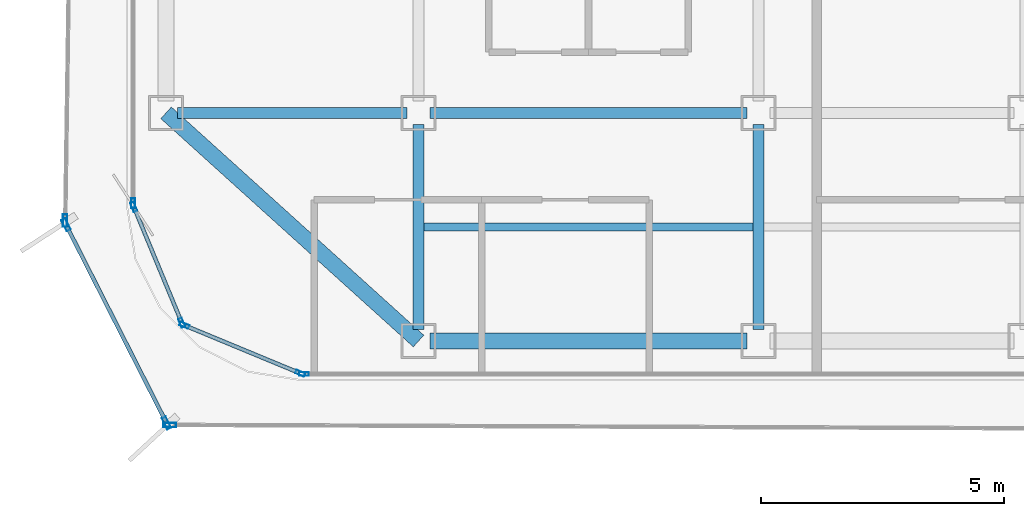
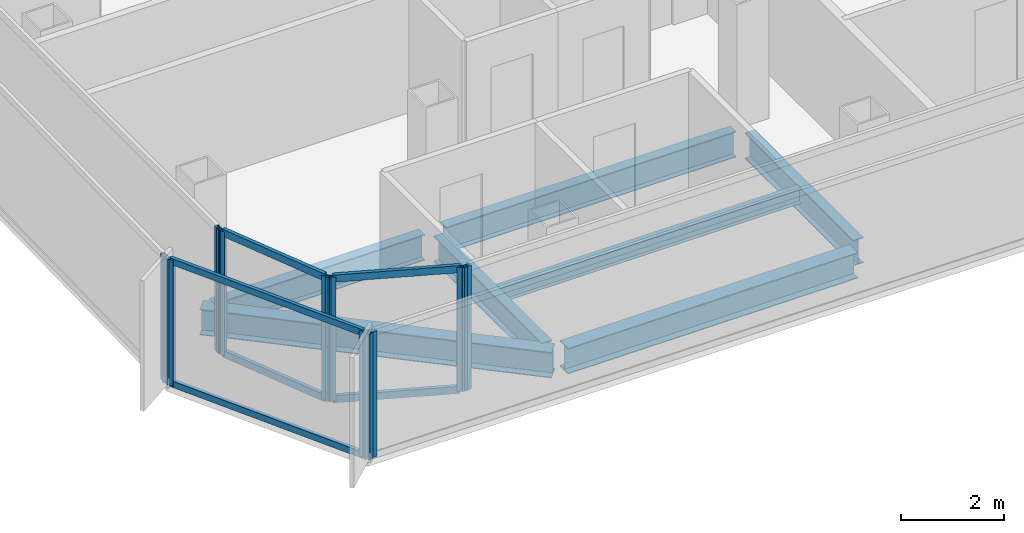
# One storey, part 2 of 16: 16 members, 7 beams, 7 elements without a shape of their own.
"""IFC4 building model written with IfcOpenShell, lengths in metres."""

from ifc_helpers import new_model, si_unit, direction, frame, origin, origin_2d, place, context, subcontext, project, spatial, hollow_rectangle, i_section, extrude, source, transform, mapped, material, layer, layer_set, material_profile, profile_set, type_object, element, aggregate, save


model = new_model("IFC4")

# Units and contexts
model_context = context("Model", 3, precision=1e-05, world=origin(), true_north=direction((0.0, 1.0)))
body_context = subcontext(model_context, "Body", "Model", "MODEL_VIEW")
ifc_project = project(units=[si_unit("LENGTHUNIT", "METRE"), si_unit("AREAUNIT", "SQUARE_METRE"), si_unit("VOLUMEUNIT", "CUBIC_METRE"), si_unit("PLANEANGLEUNIT", "RADIAN"), si_unit("MASSUNIT", "GRAM", prefix="KILO")], contexts=[model_context])

# Site, building, storey
site_placement = place(None, origin())
site = spatial("IfcSite", under=ifc_project, at=site_placement, CompositionType="ELEMENT")
building_placement = place(site_placement, origin())
building = spatial("IfcBuilding", under=site, at=building_placement, Name="Kolveth Station Tower", CompositionType="ELEMENT")
storey_placement = place(building_placement, frame((0.0, 0.0, 159.300048828125)))
storey = spatial("IfcBuildingStorey", under=building, at=storey_placement, Name="L44", CompositionType="ELEMENT", Elevation=159.300048828125)

# Beams
ifc_material_1 = material(Name="Steel S355", Category="steel")
ifc_material_profile_1 = material_profile(ifc_material_1, i_section(OverallWidth=0.323974609375, OverallDepth=0.611083984375, WebThickness=0.0126953125, FlangeThickness=0.01904296875, at=origin_2d()), Name="W610x155")
ifc_profile_set_1 = profile_set([ifc_material_profile_1], Name="Steel S355")
beam_type_1 = type_object("IfcBeamType", Name="Beam_SP2", PredefinedType="SPANDREL", material=ifc_profile_set_1)
shared_shape_1 = source(origin(), body_context, "Body", "SweptSolid", [
    extrude(i_section(OverallWidth=0.323974609375, OverallDepth=0.611083984375, WebThickness=0.0126953125, FlangeThickness=0.01904296875, at=origin_2d()), origin(), (0.0, 0.0, 1.0), 7.00927734375),
])
beam_1_placement = place(storey_placement, frame((0.800048828125, 5.5, -0.5556640625), z_axis=(0.741874009795, -0.670539300557, 0.0), x_axis=(0.670539300557, 0.741874009795, 0.0)))
element("IfcBeam", 1, at=beam_1_placement, inside=storey, type_object=beam_type_1, Name="L44 Corner Edge Girder BM-L44-CNR-SW", PredefinedType="SPANDREL", context=body_context, shape_type="MappedRepresentation", body=[
    mapped(shared_shape_1, transform((0.0, 0.0, 0.0), x_axis=(1.0, 0.0, 0.0), y_axis=(0.0, 1.0, 0.0), z_axis=(0.0, 0.0, 1.0), scale=1.0)),
])
shared_shape_2 = source(origin(), body_context, "Body", "SweptSolid", [
    extrude(i_section(OverallWidth=0.323974609375, OverallDepth=0.611083984375, WebThickness=0.0126953125, FlangeThickness=0.01904296875, at=origin_2d()), origin(), (0.0, 0.0, 1.0), 6.52001953125),
])
beam_2_placement = place(storey_placement, frame((6.239990234375, 0.800048828125, -0.5556640625), z_axis=(1.0, 0.0, 0.0), x_axis=(0.0, 1.0, 0.0)))
element("IfcBeam", 2, at=beam_2_placement, inside=storey, type_object=beam_type_1, Name="L44 Perimeter Spandrel BM-L44-PS-1", PredefinedType="SPANDREL", context=body_context, shape_type="MappedRepresentation", body=[
    mapped(shared_shape_2, transform((0.0, 0.0, 0.0), x_axis=(1.0, 0.0, 0.0), y_axis=(0.0, 1.0, 0.0), z_axis=(0.0, 0.0, 1.0), scale=1.0)),
])
ifc_material_profile_2 = material_profile(ifc_material_1, i_section(OverallWidth=0.22900390625, OverallDepth=0.612060546875, WebThickness=0.011962890625, FlangeThickness=0.01953125, at=origin_2d()), Name="W610x125")
ifc_profile_set_2 = profile_set([ifc_material_profile_2], Name="Steel S355")
beam_type_2 = type_object("IfcBeamType", Name="Beam_B5", PredefinedType="BEAM", material=ifc_profile_set_2)
shared_shape_3 = source(origin(), body_context, "Body", "SweptSolid", [
    extrude(i_section(OverallWidth=0.22900390625, OverallDepth=0.612060546875, WebThickness=0.011962890625, FlangeThickness=0.01953125, at=origin_2d()), origin(), (0.0, 0.0, 1.0), 4.719970703125),
])
beam_3_placement = place(storey_placement, frame((1.0400390625, 5.5, -0.55615234375), z_axis=(1.0, 0.0, 0.0), x_axis=(0.0, 1.0, 0.0)))
element("IfcBeam", 3, at=beam_3_placement, inside=storey, type_object=beam_type_2, Name="L44 Primary Girder BM-L44-GY55-1", PredefinedType="BEAM", context=body_context, shape_type="MappedRepresentation", body=[
    mapped(shared_shape_3, transform((0.0, 0.0, 0.0), x_axis=(1.0, 0.0, 0.0), y_axis=(0.0, 1.0, 0.0), z_axis=(0.0, 0.0, 1.0), scale=1.0)),
])
shared_shape_4 = source(origin(), body_context, "Body", "SweptSolid", [
    extrude(i_section(OverallWidth=0.22900390625, OverallDepth=0.612060546875, WebThickness=0.011962890625, FlangeThickness=0.01953125, at=origin_2d()), origin(), (0.0, 0.0, 1.0), 6.52001953125),
])
beam_4_placement = place(storey_placement, frame((6.239990234375, 5.5, -0.55615234375), z_axis=(1.0, 0.0, 0.0), x_axis=(0.0, 1.0, 0.0)))
element("IfcBeam", 4, at=beam_4_placement, inside=storey, type_object=beam_type_2, Name="L44 Primary Girder BM-L44-GY55-2", PredefinedType="BEAM", context=body_context, shape_type="MappedRepresentation", body=[
    mapped(shared_shape_4, transform((0.0, 0.0, 0.0), x_axis=(1.0, 0.0, 0.0), y_axis=(0.0, 1.0, 0.0), z_axis=(0.0, 0.0, 1.0), scale=1.0)),
])
shared_shape_5 = source(origin(), body_context, "Body", "SweptSolid", [
    extrude(i_section(OverallWidth=0.22900390625, OverallDepth=0.612060546875, WebThickness=0.011962890625, FlangeThickness=0.01953125, at=origin_2d()), origin(), (0.0, 0.0, 1.0), 4.219970703125),
])
for number, where, z_axis, x_axis, name in (
    (5, (6.0, 1.0400390625, -0.55615234375), (0.0, 1.0, 0.0), (-1.0, 0.0, 0.0), "L44 Primary Girder BM-L44-GX60-1"),
    (6, (13.0, 1.0400390625, -0.55615234375), (0.0, 1.0, 0.0), (-1.0, 0.0, 0.0), "L44 Primary Girder BM-L44-GX130-1"),
):
    element("IfcBeam", number, at=place(storey_placement, frame(where, z_axis=z_axis, x_axis=x_axis)), inside=storey, type_object=beam_type_2, Name=name, PredefinedType="BEAM", context=body_context, shape_type="MappedRepresentation", body=[
        mapped(shared_shape_5, transform((0.0, 0.0, 0.0), x_axis=(1.0, 0.0, 0.0), y_axis=(0.0, 1.0, 0.0), z_axis=(0.0, 0.0, 1.0), scale=1.0)),
    ])
ifc_material_profile_3 = material_profile(ifc_material_1, i_section(OverallWidth=0.1708984375, OverallDepth=0.35205078125, WebThickness=0.0068359375, FlangeThickness=0.009765625, at=origin_2d()), Name="W360x44")
ifc_profile_set_3 = profile_set([ifc_material_profile_3], Name="Steel S355")
beam_type_3 = type_object("IfcBeamType", Name="Beam_J2", PredefinedType="JOIST", material=ifc_profile_set_3)
shared_shape_6 = source(origin(), body_context, "Body", "SweptSolid", [
    extrude(i_section(OverallWidth=0.1708984375, OverallDepth=0.35205078125, WebThickness=0.0068359375, FlangeThickness=0.009765625, at=origin_2d()), origin(), (0.0, 0.0, 1.0), 6.77490234375),
])
beam_5_placement = place(storey_placement, frame((6.112548828125, 3.14990234375, -0.426025390625), z_axis=(1.0, 0.0, 0.0), x_axis=(0.0, 1.0, 0.0)))
element("IfcBeam", 7, at=beam_5_placement, inside=storey, type_object=beam_type_3, Name="L44 Secondary Joist JST-L44-2-1", PredefinedType="JOIST", context=body_context, shape_type="MappedRepresentation", body=[
    mapped(shared_shape_6, transform((0.0, 0.0, 0.0), x_axis=(1.0, 0.0, 0.0), y_axis=(0.0, 1.0, 0.0), z_axis=(0.0, 0.0, 1.0), scale=1.0)),
])

# Curtain wall, member
ifc_material_2 = material(Name="Aluminium 6063-T6 and low-E dark glass", Category="aluminium")
ifc_layer_1 = layer(ifc_material_2, 0.18994140625)
ifc_layer_set_1 = layer_set([ifc_layer_1], Name="Aluminium 6063-T6 and low-E dark glass")
curtain_wall_type_1 = type_object("IfcCurtainWallType", Name="CurtainWall_CW-Z2", PredefinedType="NOTDEFINED", material=ifc_layer_set_1)
curtain_wall_1_placement = place(storey_placement, origin())
curtain_wall_1 = element("IfcCurtainWall", 8, at=curtain_wall_1_placement, inside=storey, type_object=curtain_wall_type_1, Name="L44 Inner Thermal Curtain Wall 9", PredefinedType="NOTDEFINED")
ifc_material_3 = material(Name="Black anodized aluminium 6063-T6", Category="aluminium")
ifc_material_profile_4 = material_profile(ifc_material_3, hollow_rectangle(XDim=0.080078125, YDim=0.199951171875, WallThickness=0.0048828125, at=origin_2d()), Name="ALU-80x200x5")
ifc_profile_set_4 = profile_set([ifc_material_profile_4], Name="Black anodized aluminium 6063-T6")
member_type_1 = type_object("IfcMemberType", Name="Mullion_ML2", PredefinedType="MULLION", material=ifc_profile_set_4)
shared_shape_7 = source(origin(), body_context, "Body", "SweptSolid", [
    extrude(hollow_rectangle(XDim=0.080078125, YDim=0.199951171875, WallThickness=0.0048828125, at=origin_2d()), origin(), (0.0, 0.0, 1.0), 2.949951171875),
])
member_1_placement = place(storey_placement, frame((0.1201171875, 3.639892578125, 0.0), z_axis=(0.0, 0.0, 1.0), x_axis=(1.0, 0.0, 0.0)))
member_1 = element("IfcMember", 9, at=member_1_placement, type_object=member_type_1, Name="CW-Z2 mullion 2", PredefinedType="MULLION", context=body_context, shape_type="MappedRepresentation", body=[
    mapped(shared_shape_7, transform((0.0, 0.0, 0.0), x_axis=(1.0, 0.0, 0.0), y_axis=(0.0, 1.0, 0.0), z_axis=(0.0, 0.0, 1.0), scale=1.0)),
])
aggregate(curtain_wall_1, [member_1])

# Curtain wall, members
curtain_wall_2_placement = place(storey_placement, origin())
curtain_wall_2 = element("IfcCurtainWall", 10, at=curtain_wall_2_placement, inside=storey, type_object=curtain_wall_type_1, Name="L44 Inner Thermal Curtain Wall 10", PredefinedType="NOTDEFINED")
member_2_placement = place(storey_placement, frame((0.13525390625, 3.56298828125, 0.0), z_axis=(0.0, 0.0, 1.0), x_axis=(0.923873600544, 0.382697753087, 0.0)))
member_2 = element("IfcMember", 11, at=member_2_placement, type_object=member_type_1, Name="CW-Z2 mullion 1", PredefinedType="MULLION", context=body_context, shape_type="MappedRepresentation", body=[
    mapped(shared_shape_7, transform((0.0, 0.0, 0.0), x_axis=(1.0, 0.0, 0.0), y_axis=(0.0, 1.0, 0.0), z_axis=(0.0, 0.0, 1.0), scale=1.0)),
])
member_3_placement = place(storey_placement, frame((1.1240234375, 1.17626953125, 0.0), z_axis=(0.0, 0.0, 1.0), x_axis=(0.923873600544, 0.382697753087, 0.0)))
member_3 = element("IfcMember", 12, at=member_3_placement, type_object=member_type_1, Name="CW-Z2 mullion 2", PredefinedType="MULLION", context=body_context, shape_type="MappedRepresentation", body=[
    mapped(shared_shape_7, transform((0.0, 0.0, 0.0), x_axis=(1.0, 0.0, 0.0), y_axis=(0.0, 1.0, 0.0), z_axis=(0.0, 0.0, 1.0), scale=1.0)),
])

curtain_wall_3_placement = place(storey_placement, origin())
curtain_wall_3 = element("IfcCurtainWall", 13, at=curtain_wall_3_placement, inside=storey, type_object=curtain_wall_type_1, Name="L44 Inner Thermal Curtain Wall 11", PredefinedType="NOTDEFINED")
member_4_placement = place(storey_placement, frame((1.17626953125, 1.1240234375, 0.0), z_axis=(0.0, 0.0, 1.0), x_axis=(0.382697753087, 0.923873600544, 0.0)))
member_4 = element("IfcMember", 14, at=member_4_placement, type_object=member_type_1, Name="CW-Z2 mullion 1", PredefinedType="MULLION", context=body_context, shape_type="MappedRepresentation", body=[
    mapped(shared_shape_7, transform((0.0, 0.0, 0.0), x_axis=(1.0, 0.0, 0.0), y_axis=(0.0, 1.0, 0.0), z_axis=(0.0, 0.0, 1.0), scale=1.0)),
])
member_5_placement = place(storey_placement, frame((3.56298828125, 0.13525390625, 0.0), z_axis=(0.0, 0.0, 1.0), x_axis=(0.382697753087, 0.923873600544, 0.0)))
member_5 = element("IfcMember", 15, at=member_5_placement, type_object=member_type_1, Name="CW-Z2 mullion 2", PredefinedType="MULLION", context=body_context, shape_type="MappedRepresentation", body=[
    mapped(shared_shape_7, transform((0.0, 0.0, 0.0), x_axis=(1.0, 0.0, 0.0), y_axis=(0.0, 1.0, 0.0), z_axis=(0.0, 0.0, 1.0), scale=1.0)),
])

# Curtain wall, member
curtain_wall_4_placement = place(storey_placement, origin())
curtain_wall_4 = element("IfcCurtainWall", 16, at=curtain_wall_4_placement, inside=storey, type_object=curtain_wall_type_1, Name="L44 Inner Thermal Curtain Wall 12", PredefinedType="NOTDEFINED")
member_6_placement = place(storey_placement, frame((3.639892578125, 0.1201171875, 0.0), z_axis=(0.0, 0.0, 1.0), x_axis=(0.0, 1.0, 0.0)))
member_6 = element("IfcMember", 17, at=member_6_placement, type_object=member_type_1, Name="CW-Z2 mullion 1", PredefinedType="MULLION", context=body_context, shape_type="MappedRepresentation", body=[
    mapped(shared_shape_7, transform((0.0, 0.0, 0.0), x_axis=(1.0, 0.0, 0.0), y_axis=(0.0, 1.0, 0.0), z_axis=(0.0, 0.0, 1.0), scale=1.0)),
])
aggregate(curtain_wall_4, [member_6])

ifc_material_4 = material(Name="Black anodized aluminium 6063-T6 and dark solar glass", Category="aluminium")
ifc_layer_2 = layer(ifc_material_4, 0.159912109375)
ifc_layer_set_2 = layer_set([ifc_layer_2], Name="Black anodized aluminium 6063-T6 and dark solar glass")
curtain_wall_type_2 = type_object("IfcCurtainWallType", Name="OUTER SKIN CW-OS", PredefinedType="NOTDEFINED", material=ifc_layer_set_2)
curtain_wall_5_placement = place(storey_placement, origin())
curtain_wall_5 = element("IfcCurtainWall", 18, at=curtain_wall_5_placement, inside=storey, type_object=curtain_wall_type_2, Name="L44 Outer Ventilated Skin Curtain Wall 6", PredefinedType="NOTDEFINED")
ifc_material_profile_5 = material_profile(ifc_material_3, hollow_rectangle(XDim=0.090087890625, YDim=0.260009765625, WallThickness=0.0048828125, at=origin_2d()), Name="ALU-90x260x5")
ifc_profile_set_5 = profile_set([ifc_material_profile_5], Name="Black anodized aluminium 6063-T6")
member_type_2 = type_object("IfcMemberType", Name="FIN MULLION ML-OS", PredefinedType="MULLION", material=ifc_profile_set_5)
shared_shape_8 = source(origin(), body_context, "Body", "SweptSolid", [
    extrude(hollow_rectangle(XDim=0.090087890625, YDim=0.260009765625, WallThickness=0.0048828125, at=origin_2d()), origin(), (0.0, 0.0, 1.0), 2.989990234375),
])
member_7_placement = place(storey_placement, frame((-1.28173828125, 3.280517578125, 0.0), z_axis=(0.0, 0.0, 1.0), x_axis=(0.999891678009, -0.014718432254, 0.0)))
member_7 = element("IfcMember", 19, at=member_7_placement, type_object=member_type_2, Name="CW-OS mullion 2", PredefinedType="MULLION", context=body_context, shape_type="MappedRepresentation", body=[
    mapped(shared_shape_8, transform((0.0, 0.0, 0.0), x_axis=(1.0, 0.0, 0.0), y_axis=(0.0, 1.0, 0.0), z_axis=(0.0, 0.0, 1.0), scale=1.0)),
])
aggregate(curtain_wall_5, [member_7])

# Curtain wall, members
curtain_wall_6_placement = place(storey_placement, origin())
curtain_wall_6 = element("IfcCurtainWall", 20, at=curtain_wall_6_placement, inside=storey, type_object=curtain_wall_type_2, Name="L44 Outer Ventilated Skin Curtain Wall 7", PredefinedType="NOTDEFINED")
member_8_placement = place(storey_placement, frame((-1.261962890625, 3.195556640625, 0.0), z_axis=(0.0, 0.0, 1.0), x_axis=(0.891813097192, 0.452404022614, 0.0)))
member_8 = element("IfcMember", 21, at=member_8_placement, type_object=member_type_2, Name="CW-OS mullion 1", PredefinedType="MULLION", context=body_context, shape_type="MappedRepresentation", body=[
    mapped(shared_shape_8, transform((0.0, 0.0, 0.0), x_axis=(1.0, 0.0, 0.0), y_axis=(0.0, 1.0, 0.0), z_axis=(0.0, 0.0, 1.0), scale=1.0)),
])
member_9_placement = place(storey_placement, frame((0.810546875, -0.889892578125, 0.0), z_axis=(0.0, 0.0, 1.0), x_axis=(0.891813097192, 0.452404022614, 0.0)))
member_9 = element("IfcMember", 22, at=member_9_placement, type_object=member_type_2, Name="CW-OS mullion 2", PredefinedType="MULLION", context=body_context, shape_type="MappedRepresentation", body=[
    mapped(shared_shape_8, transform((0.0, 0.0, 0.0), x_axis=(1.0, 0.0, 0.0), y_axis=(0.0, 1.0, 0.0), z_axis=(0.0, 0.0, 1.0), scale=1.0)),
])

# Curtain wall, member
curtain_wall_7_placement = place(storey_placement, origin())
curtain_wall_7 = element("IfcCurtainWall", 23, at=curtain_wall_7_placement, inside=storey, type_object=curtain_wall_type_2, Name="L44 Outer Ventilated Skin Curtain Wall 8", PredefinedType="NOTDEFINED")
member_10_placement = place(storey_placement, frame((0.875732421875, -0.93017578125, 0.0), z_axis=(0.0, 0.0, 1.0), x_axis=(0.004004986729, 0.999991980008, 0.0)))
member_10 = element("IfcMember", 24, at=member_10_placement, type_object=member_type_2, Name="CW-OS mullion 1", PredefinedType="MULLION", context=body_context, shape_type="MappedRepresentation", body=[
    mapped(shared_shape_8, transform((0.0, 0.0, 0.0), x_axis=(1.0, 0.0, 0.0), y_axis=(0.0, 1.0, 0.0), z_axis=(0.0, 0.0, 1.0), scale=1.0)),
])
aggregate(curtain_wall_7, [member_10])

# Member
ifc_material_profile_6 = material_profile(ifc_material_3, hollow_rectangle(XDim=0.080078125, YDim=0.169921875, WallThickness=0.0048828125, at=origin_2d()), Name="ALU-80x170x5")
ifc_profile_set_6 = profile_set([ifc_material_profile_6], Name="Black anodized aluminium 6063-T6")
member_type_3 = type_object("IfcMemberType", Name="Transom_TR2", PredefinedType="USERDEFINED", material=ifc_profile_set_6)
shared_shape_9 = source(origin(), body_context, "Body", "SweptSolid", [
    extrude(hollow_rectangle(XDim=0.080078125, YDim=0.169921875, WallThickness=0.0048828125, at=origin_2d()), origin(), (0.0, 0.0, 1.0), 2.50341796875),
])
member_11_placement = place(storey_placement, frame((0.150634765625, 3.526123046875, 0.0400390625), z_axis=(0.382661849723, -0.923888472039, 0.0), x_axis=(0.923888472039, 0.382661849723, 0.0)))
member_11 = element("IfcMember", 25, at=member_11_placement, type_object=member_type_3, Name="CW-Z2 transom 1.1", ObjectType="TRANSOM", PredefinedType="USERDEFINED", context=body_context, shape_type="MappedRepresentation", body=[
    mapped(shared_shape_9, transform((0.0, 0.0, 0.0), x_axis=(1.0, 0.0, 0.0), y_axis=(0.0, 1.0, 0.0), z_axis=(0.0, 0.0, 1.0), scale=1.0)),
])

member_12_placement = place(storey_placement, frame((0.150634765625, 3.526123046875, 2.909912109375), z_axis=(0.382661849723, -0.923888472039, 0.0), x_axis=(0.923888472039, 0.382661849723, 0.0)))
member_12 = element("IfcMember", 26, at=member_12_placement, type_object=member_type_3, Name="CW-Z2 transom 1.2", ObjectType="TRANSOM", PredefinedType="USERDEFINED", context=body_context, shape_type="MappedRepresentation", body=[
    mapped(shared_shape_9, transform((0.0, 0.0, 0.0), x_axis=(1.0, 0.0, 0.0), y_axis=(0.0, 1.0, 0.0), z_axis=(0.0, 0.0, 1.0), scale=1.0)),
])

aggregate(curtain_wall_2, [member_2, member_3, member_11, member_12])

member_13_placement = place(storey_placement, frame((1.213134765625, 1.108642578125, 0.0400390625), z_axis=(0.923888472039, -0.382661849723, 0.0), x_axis=(0.382661849723, 0.923888472039, 0.0)))
member_13 = element("IfcMember", 27, at=member_13_placement, type_object=member_type_3, Name="CW-Z2 transom 1.1", ObjectType="TRANSOM", PredefinedType="USERDEFINED", context=body_context, shape_type="MappedRepresentation", body=[
    mapped(shared_shape_9, transform((0.0, 0.0, 0.0), x_axis=(1.0, 0.0, 0.0), y_axis=(0.0, 1.0, 0.0), z_axis=(0.0, 0.0, 1.0), scale=1.0)),
])

member_14_placement = place(storey_placement, frame((1.213134765625, 1.108642578125, 2.909912109375), z_axis=(0.923888472039, -0.382661849723, 0.0), x_axis=(0.382661849723, 0.923888472039, 0.0)))
member_14 = element("IfcMember", 28, at=member_14_placement, type_object=member_type_3, Name="CW-Z2 transom 1.2", ObjectType="TRANSOM", PredefinedType="USERDEFINED", context=body_context, shape_type="MappedRepresentation", body=[
    mapped(shared_shape_9, transform((0.0, 0.0, 0.0), x_axis=(1.0, 0.0, 0.0), y_axis=(0.0, 1.0, 0.0), z_axis=(0.0, 0.0, 1.0), scale=1.0)),
])

aggregate(curtain_wall_3, [member_4, member_5, member_13, member_14])

ifc_material_profile_7 = material_profile(ifc_material_3, hollow_rectangle(XDim=0.080078125, YDim=0.14990234375, WallThickness=0.0048828125, at=origin_2d()), Name="ALU-80x150x5")
ifc_profile_set_7 = profile_set([ifc_material_profile_7], Name="Black anodized aluminium 6063-T6")
member_type_4 = type_object("IfcMemberType", Name="Transom_TR-OS", PredefinedType="USERDEFINED", material=ifc_profile_set_7)
shared_shape_10 = source(origin(), body_context, "Body", "SweptSolid", [
    extrude(hollow_rectangle(XDim=0.080078125, YDim=0.14990234375, WallThickness=0.0048828125, at=origin_2d()), origin(), (0.0, 0.0, 1.0), 4.490966796875),
])
member_15_placement = place(storey_placement, frame((-1.24169921875, 3.1552734375, 0.0400390625), z_axis=(0.452403082269, -0.891813574215, 0.0), x_axis=(0.891813574215, 0.452403082269, 0.0)))
member_15 = element("IfcMember", 29, at=member_15_placement, type_object=member_type_4, Name="CW-OS transom 1.1", ObjectType="TRANSOM", PredefinedType="USERDEFINED", context=body_context, shape_type="MappedRepresentation", body=[
    mapped(shared_shape_10, transform((0.0, 0.0, 0.0), x_axis=(1.0, 0.0, 0.0), y_axis=(0.0, 1.0, 0.0), z_axis=(0.0, 0.0, 1.0), scale=1.0)),
])

member_16_placement = place(storey_placement, frame((-1.24169921875, 3.1552734375, 2.949951171875), z_axis=(0.452403082269, -0.891813574215, 0.0), x_axis=(0.891813574215, 0.452403082269, 0.0)))
member_16 = element("IfcMember", 30, at=member_16_placement, type_object=member_type_4, Name="CW-OS transom 1.2", ObjectType="TRANSOM", PredefinedType="USERDEFINED", context=body_context, shape_type="MappedRepresentation", body=[
    mapped(shared_shape_10, transform((0.0, 0.0, 0.0), x_axis=(1.0, 0.0, 0.0), y_axis=(0.0, 1.0, 0.0), z_axis=(0.0, 0.0, 1.0), scale=1.0)),
])

aggregate(curtain_wall_6, [member_8, member_9, member_15, member_16])

save(model, "model.ifc")
